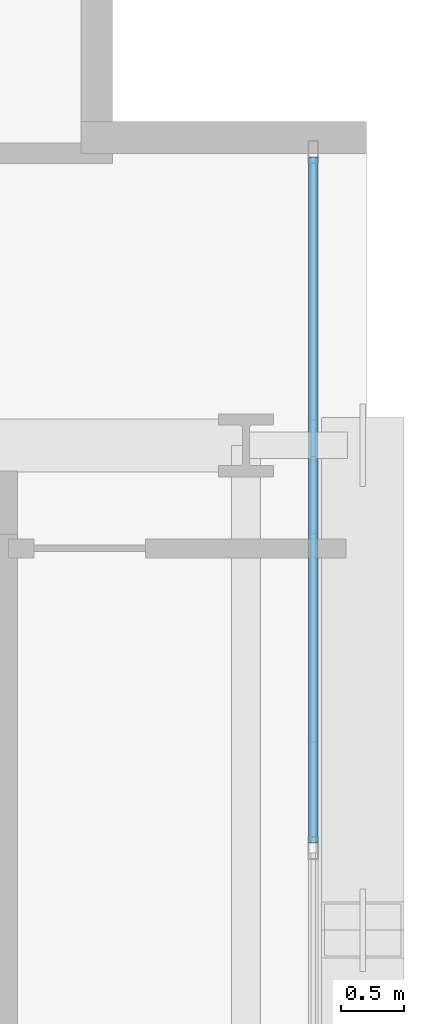
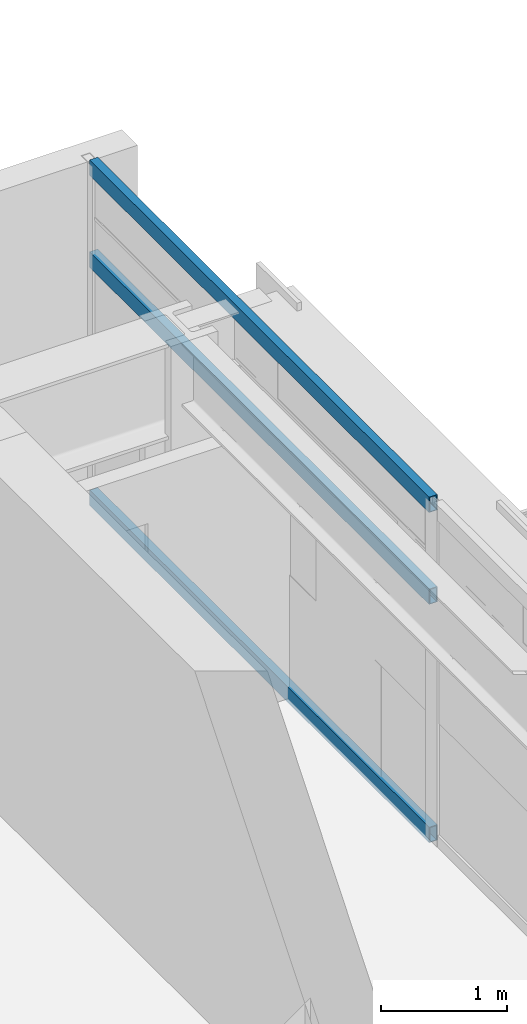
# One storey, part 15 of 32: 3 members, 1 element without a shape of its own.
"""IFC4 building model written with IfcOpenShell, lengths in metres."""

from ifc_helpers import new_model, si_unit, direction, frame, origin, origin_2d, place, context, subcontext, project, spatial, hollow_rectangle, extrude, source, transform, mapped, material, layer, layer_set, material_profile, profile_set, type_object, element, aggregate, save


model = new_model("IFC4")

# Units and contexts
model_context = context("Model", 3, precision=1e-05, world=origin(), true_north=direction((0.0, 1.0)))
body_context = subcontext(model_context, "Body", "Model", "MODEL_VIEW")
ifc_project = project(units=[si_unit("LENGTHUNIT", "METRE"), si_unit("AREAUNIT", "SQUARE_METRE"), si_unit("VOLUMEUNIT", "CUBIC_METRE"), si_unit("PLANEANGLEUNIT", "RADIAN"), si_unit("MASSUNIT", "GRAM", prefix="KILO")], contexts=[model_context])

# Site, building, storey
site_placement = place(None, origin())
site = spatial("IfcSite", under=ifc_project, at=site_placement, CompositionType="ELEMENT")
building_placement = place(site_placement, origin())
building = spatial("IfcBuilding", under=site, at=building_placement, Name="Ocotamira Hotel", CompositionType="ELEMENT")
storey_placement = place(building_placement, frame((0.0, 0.0, 217.199951171875)))
storey = spatial("IfcBuildingStorey", under=building, at=storey_placement, Name="L55", CompositionType="ELEMENT", Elevation=217.199951171875)

# Curtain wall, members
ifc_material_1 = material(Name="Anodised pale-metal aluminium and solar glass", Category="aluminium")
ifc_layer = layer(ifc_material_1, 0.199951171875)
ifc_layer_set = layer_set([ifc_layer], Name="Anodised pale-metal aluminium and solar glass")
curtain_wall_type = type_object("IfcCurtainWallType", Name="CW-SYS4-Z3", PredefinedType="NOTDEFINED", material=ifc_layer_set)
curtain_wall_placement = place(storey_placement, origin())
curtain_wall = element("IfcCurtainWall", 1, at=curtain_wall_placement, inside=storey, type_object=curtain_wall_type, Name="L55 Curtain Wall CW-4 CW-L55-E", PredefinedType="NOTDEFINED")
ifc_material_2 = material(Name="Anodised pale-metal aluminium 6063-T6", Category="aluminium")
ifc_material_profile = material_profile(ifc_material_2, hollow_rectangle(XDim=0.074951171875, YDim=0.14990234375, WallThickness=0.006103515625, at=origin_2d()), Name="HSS150X75X6")
ifc_profile_set = profile_set([ifc_material_profile], Name="Anodised pale-metal aluminium 6063-T6")
member_type = type_object("IfcMemberType", Name="CWT-150X75", PredefinedType="USERDEFINED", material=ifc_profile_set)
shared_shape = source(origin(), body_context, "Body", "SweptSolid", [
    extrude(hollow_rectangle(XDim=0.074951171875, YDim=0.14990234375, WallThickness=0.006103515625, at=origin_2d()), origin(), (0.0, 0.0, 1.0), 5.39990234375),
])
member_1_placement = place(storey_placement, frame((55.580078125, 34.320068359375, 0.03759765625), z_axis=(0.0, 1.0, 0.0), x_axis=(-1.0, 0.0, 0.0)))
member_1 = element("IfcMember", 2, at=member_1_placement, type_object=member_type, Name="CW-4 transom 5.1", ObjectType="TRANSOM", PredefinedType="USERDEFINED", context=body_context, shape_type="MappedRepresentation", body=[
    mapped(shared_shape, transform((0.0, 0.0, 0.0), scale=1.0)),
])
member_2_placement = place(storey_placement, frame((55.580078125, 34.320068359375, 2.35009765625), z_axis=(0.0, 1.0, 0.0), x_axis=(-1.0, 0.0, 0.0)))
member_2 = element("IfcMember", 3, at=member_2_placement, type_object=member_type, Name="CW-4 transom 5.2", ObjectType="TRANSOM", PredefinedType="USERDEFINED", context=body_context, shape_type="MappedRepresentation", body=[
    mapped(shared_shape, transform((0.0, 0.0, 0.0), scale=1.0)),
])
member_3_placement = place(storey_placement, frame((55.580078125, 34.320068359375, 3.242431640625), z_axis=(0.0, 1.0, 0.0), x_axis=(-1.0, 0.0, 0.0)))
member_3 = element("IfcMember", 4, at=member_3_placement, type_object=member_type, Name="CW-4 transom 5.3", ObjectType="TRANSOM", PredefinedType="USERDEFINED", context=body_context, shape_type="MappedRepresentation", body=[
    mapped(shared_shape, transform((0.0, 0.0, 0.0), scale=1.0)),
])
aggregate(curtain_wall, [member_1, member_2, member_3])

save(model, "model.ifc")
